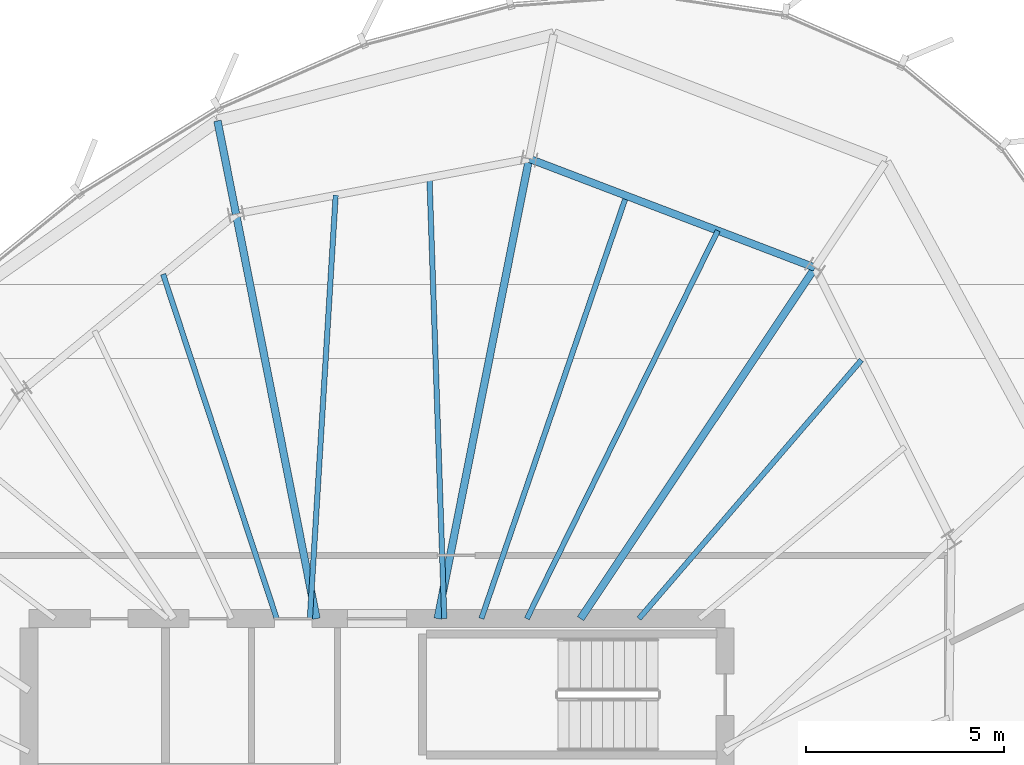
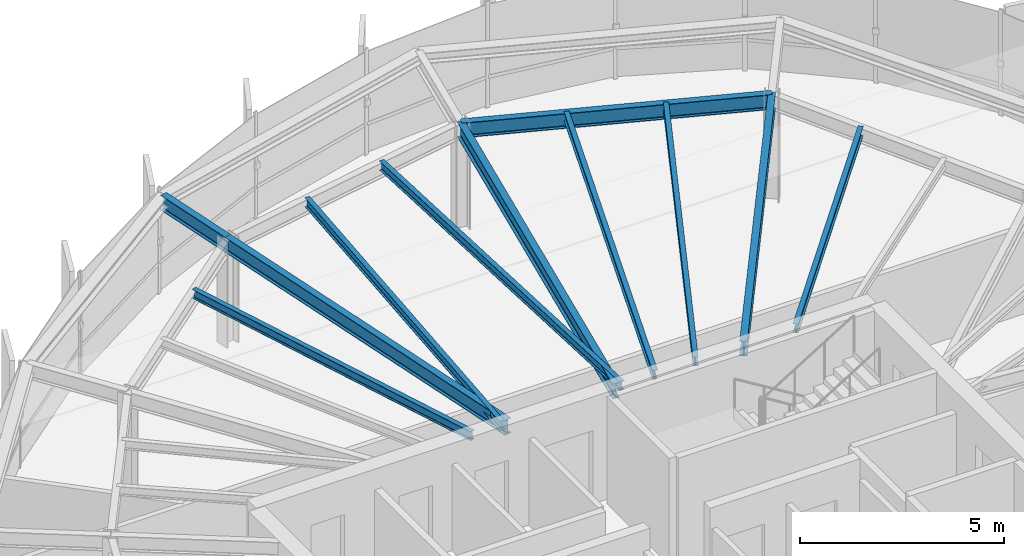
# One storey, part 19 of 31: 11 beams.
"""IFC4 building model written with IfcOpenShell, lengths in metres."""

from ifc_helpers import new_model, si_unit, direction, frame, origin, origin_2d, place, context, subcontext, project, spatial, i_section, extrude, source, transform, mapped, material, material_profile, profile_set, type_object, element, save


model = new_model("IFC4")

# Units and contexts
model_context = context("Model", 3, precision=1e-05, world=origin(), true_north=direction((0.0, 1.0)))
body_context = subcontext(model_context, "Body", "Model", "MODEL_VIEW")
ifc_project = project(units=[si_unit("LENGTHUNIT", "METRE"), si_unit("AREAUNIT", "SQUARE_METRE"), si_unit("VOLUMEUNIT", "CUBIC_METRE"), si_unit("PLANEANGLEUNIT", "RADIAN"), si_unit("MASSUNIT", "GRAM", prefix="KILO"), si_unit("THERMODYNAMICTEMPERATUREUNIT", "KELVIN")], contexts=[model_context])

# Site, building, storey
site_placement = place(None, origin())
site = spatial("IfcSite", under=ifc_project, at=site_placement, CompositionType="ELEMENT")
building_placement = place(site_placement, origin())
building = spatial("IfcBuilding", under=site, at=building_placement, Name="Kethvar Cultural Tower", CompositionType="ELEMENT")
storey_placement = place(building_placement, frame((0.0, 0.0, 269.800048828125)))
storey = spatial("IfcBuildingStorey", under=building, at=storey_placement, Name="L71", CompositionType="ELEMENT", Elevation=269.800048828125)

# Beams
ifc_material = material(Name="Steel S355J2", Category="steel")
ifc_material_profile_1 = material_profile(ifc_material, i_section(OverallWidth=0.18994140625, OverallDepth=0.449951171875, WebThickness=0.009521484375, FlangeThickness=0.0146484375, FilletRadius=0.02099609375, at=origin_2d()), Name="Steel S355J2 — IPE450")
ifc_profile_set_1 = profile_set([ifc_material_profile_1], Name="Steel S355J2 — IPE450")
beam_type_1 = type_object("IfcBeamType", Name="BM-IPE450", PredefinedType="BEAM", material=ifc_profile_set_1)
shared_shape_1 = source(origin(), body_context, "Body", "SweptSolid", [
    extrude(i_section(OverallWidth=0.18994140625, OverallDepth=0.449951171875, WebThickness=0.009521484375, FlangeThickness=0.0146484375, FilletRadius=0.02099609375, at=origin_2d()), origin(), (0.0, 0.0, 1.0), 10.673828125),
])
beam_1_placement = place(storey_placement, frame((51.945068359375, 35.5, 2.98291015625), z_axis=(0.555576086183, 0.831465701314, 0.0), x_axis=(-0.831465701314, 0.555576086183, 0.0)))
element("IfcBeam", 1, at=beam_1_placement, inside=storey, type_object=beam_type_1, Name="L71 Primary Radial Beam RB-03", PredefinedType="BEAM", context=body_context, shape_type="MappedRepresentation", body=[
    mapped(shared_shape_1, transform((0.0, 0.0, 0.0), scale=1.0)),
])
shared_shape_2 = source(origin(), body_context, "Body", "SweptSolid", [
    extrude(i_section(OverallWidth=0.18994140625, OverallDepth=0.449951171875, WebThickness=0.009521484375, FlangeThickness=0.0146484375, FilletRadius=0.02099609375, at=origin_2d()), origin(), (0.0, 0.0, 1.0), 11.859375),
])
beam_2_placement = place(storey_placement, frame((48.33154296875, 35.5, 2.98291015625), z_axis=(0.195094640585, 0.980784421377, 0.0), x_axis=(-0.980784421377, 0.195094640585, 0.0)))
element("IfcBeam", 2, at=beam_2_placement, inside=storey, type_object=beam_type_1, Name="L71 Primary Radial Beam RB-04", PredefinedType="BEAM", context=body_context, shape_type="MappedRepresentation", body=[
    mapped(shared_shape_2, transform((0.0, 0.0, 0.0), scale=1.0)),
])
shared_shape_3 = source(origin(), body_context, "Body", "SweptSolid", [
    extrude(i_section(OverallWidth=0.18994140625, OverallDepth=0.449951171875, WebThickness=0.009521484375, FlangeThickness=0.0146484375, FilletRadius=0.02099609375, at=origin_2d()), origin(), (0.0, 0.0, 1.0), 10.432861328125),
])
beam_3_placement = place(storey_placement, frame((45.268310546875, 35.5, 2.98291015625), z_axis=(-0.195094483249, 0.980784452673, 0.0), x_axis=(-0.980784452673, -0.195094483249, 0.0)))
element("IfcBeam", 3, at=beam_3_placement, inside=storey, type_object=beam_type_1, Name="L71 Primary Radial Beam RB-05", PredefinedType="BEAM", context=body_context, shape_type="MappedRepresentation", body=[
    mapped(shared_shape_3, transform((0.0, 0.0, 0.0), scale=1.0)),
])
ifc_material_profile_2 = material_profile(ifc_material, i_section(OverallWidth=0.135009765625, OverallDepth=0.27001953125, WebThickness=0.006591796875, FlangeThickness=0.01025390625, FilletRadius=0.014892578125, at=origin_2d()), Name="Steel S355J2 — IPE270")
ifc_profile_set_2 = profile_set([ifc_material_profile_2], Name="Steel S355J2 — IPE270")
beam_type_2 = type_object("IfcBeamType", Name="BM-J270", PredefinedType="JOIST", material=ifc_profile_set_2)
shared_shape_4 = source(origin(), body_context, "Body", "SweptSolid", [
    extrude(i_section(OverallWidth=0.135009765625, OverallDepth=0.27001953125, WebThickness=0.006591796875, FlangeThickness=0.01025390625, FilletRadius=0.014892578125, at=origin_2d()), origin(), (0.0, 0.0, 1.0), 8.6259765625),
])
beam_4_placement = place(storey_placement, frame((53.42333984375, 35.5, 3.072998046875), z_axis=(0.65210499689, 0.758128665222, 0.0), x_axis=(-0.758128665222, 0.65210499689, 0.0)))
element("IfcBeam", 4, at=beam_4_placement, inside=storey, type_object=beam_type_2, Name="L71 Composite Floor Joist J-02B", PredefinedType="JOIST", context=body_context, shape_type="MappedRepresentation", body=[
    mapped(shared_shape_4, transform((0.0, 0.0, 0.0), scale=1.0)),
])
shared_shape_5 = source(origin(), body_context, "Body", "SweptSolid", [
    extrude(i_section(OverallWidth=0.18994140625, OverallDepth=0.449951171875, WebThickness=0.009521484375, FlangeThickness=0.0146484375, FilletRadius=0.02099609375, at=origin_2d()), origin(), (0.0, 0.0, 1.0), 7.737548828125),
])
beam_5_placement = place(storey_placement, frame((57.875244140625, 44.375, 2.98291015625), z_axis=(-0.934388230776, 0.356256416347, 0.0), x_axis=(-0.356256416347, -0.934388230776, 0.0)))
element("IfcBeam", 5, at=beam_5_placement, inside=storey, type_object=beam_type_1, Name="L71 Column Ring Tie Beam CR-03", PredefinedType="BEAM", context=body_context, shape_type="MappedRepresentation", body=[
    mapped(shared_shape_5, transform((0.0, 0.0, 0.0), scale=1.0)),
])
shared_shape_6 = source(origin(), body_context, "Body", "SweptSolid", [
    extrude(i_section(OverallWidth=0.135009765625, OverallDepth=0.27001953125, WebThickness=0.006591796875, FlangeThickness=0.01025390625, FilletRadius=0.014892578125, at=origin_2d()), origin(), (0.0, 0.0, 1.0), 10.935791015625),
])
beam_6_placement = place(storey_placement, frame((50.5888671875, 35.5, 3.072998046875), z_axis=(0.441498236677, 0.897262117227, 0.0), x_axis=(-0.897262117227, 0.441498236677, 0.0)))
element("IfcBeam", 6, at=beam_6_placement, inside=storey, type_object=beam_type_2, Name="L71 Composite Floor Joist J-03A", PredefinedType="JOIST", context=body_context, shape_type="MappedRepresentation", body=[
    mapped(shared_shape_6, transform((0.0, 0.0, 0.0), scale=1.0)),
])
shared_shape_7 = source(origin(), body_context, "Body", "SweptSolid", [
    extrude(i_section(OverallWidth=0.135009765625, OverallDepth=0.27001953125, WebThickness=0.006591796875, FlangeThickness=0.01025390625, FilletRadius=0.014892578125, at=origin_2d()), origin(), (0.0, 0.0, 1.0), 11.304931640625),
])
beam_7_placement = place(storey_placement, frame((49.438720703125, 35.5, 3.072998046875), z_axis=(0.324179110764, 0.945995720997, 0.0), x_axis=(-0.945995720997, 0.324179110764, 0.0)))
element("IfcBeam", 7, at=beam_7_placement, inside=storey, type_object=beam_type_2, Name="L71 Composite Floor Joist J-03B", PredefinedType="JOIST", context=body_context, shape_type="MappedRepresentation", body=[
    mapped(shared_shape_7, transform((0.0, 0.0, 0.0), scale=1.0)),
])
shared_shape_8 = source(origin(), body_context, "Body", "SweptSolid", [
    extrude(i_section(OverallWidth=0.135009765625, OverallDepth=0.27001953125, WebThickness=0.006591796875, FlangeThickness=0.01025390625, FilletRadius=0.014892578125, at=origin_2d()), origin(), (0.0, 0.0, 1.0), 11.162109375),
])
beam_8_placement = place(storey_placement, frame((48.5, 35.5, 3.072998046875), z_axis=(-0.0335959409, 0.999435497046, 0.0), x_axis=(-0.999435497046, -0.0335959409, 0.0)))
element("IfcBeam", 8, at=beam_8_placement, inside=storey, type_object=beam_type_2, Name="L71 Composite Floor Joist J-04A", PredefinedType="JOIST", context=body_context, shape_type="MappedRepresentation", body=[
    mapped(shared_shape_8, transform((0.0, 0.0, 0.0), scale=1.0)),
])
shared_shape_9 = source(origin(), body_context, "Body", "SweptSolid", [
    extrude(i_section(OverallWidth=0.135009765625, OverallDepth=0.27001953125, WebThickness=0.006591796875, FlangeThickness=0.01025390625, FilletRadius=0.014892578125, at=origin_2d()), origin(), (0.0, 0.0, 1.0), 10.727783203125),
])
beam_9_placement = place(storey_placement, frame((45.10009765625, 35.5, 3.072998046875), z_axis=(0.060876395586, 0.998145312297, 0.0), x_axis=(-0.998145312297, 0.060876395586, 0.0)))
element("IfcBeam", 9, at=beam_9_placement, inside=storey, type_object=beam_type_2, Name="L71 Composite Floor Joist J-04B", PredefinedType="JOIST", context=body_context, shape_type="MappedRepresentation", body=[
    mapped(shared_shape_9, transform((0.0, 0.0, 0.0), scale=1.0)),
])
shared_shape_10 = source(origin(), body_context, "Body", "SweptSolid", [
    extrude(i_section(OverallWidth=0.135009765625, OverallDepth=0.27001953125, WebThickness=0.006591796875, FlangeThickness=0.01025390625, FilletRadius=0.014892578125, at=origin_2d()), origin(), (0.0, 0.0, 1.0), 9.17138671875),
])
beam_10_placement = place(storey_placement, frame((44.260986328125, 35.5, 3.072998046875), z_axis=(-0.313151555446, 0.949703165901, 0.0), x_axis=(-0.949703165901, -0.313151555446, 0.0)))
element("IfcBeam", 10, at=beam_10_placement, inside=storey, type_object=beam_type_2, Name="L71 Composite Floor Joist J-05A", PredefinedType="JOIST", context=body_context, shape_type="MappedRepresentation", body=[
    mapped(shared_shape_10, transform((0.0, 0.0, 0.0), scale=1.0)),
])
shared_shape_11 = source(origin(), body_context, "Body", "SweptSolid", [
    extrude(i_section(OverallWidth=0.18994140625, OverallDepth=0.449951171875, WebThickness=0.009521484375, FlangeThickness=0.0146484375, FilletRadius=0.02099609375, at=origin_2d()), origin(), (0.0, 0.0, 1.0), 2.40185546875),
])
beam_11_placement = place(storey_placement, frame((43.23291015625, 45.732421875, 2.98291015625), z_axis=(-0.195060457245, 0.980791220403, 0.0), x_axis=(-0.980791220403, -0.195060457245, 0.0)))
element("IfcBeam", 11, at=beam_11_placement, inside=storey, type_object=beam_type_1, Name="L71 Perimeter Cantilever Beam RC-05", PredefinedType="BEAM", context=body_context, shape_type="MappedRepresentation", body=[
    mapped(shared_shape_11, transform((0.0, 0.0, 0.0), scale=1.0)),
])

save(model, "model.ifc")
